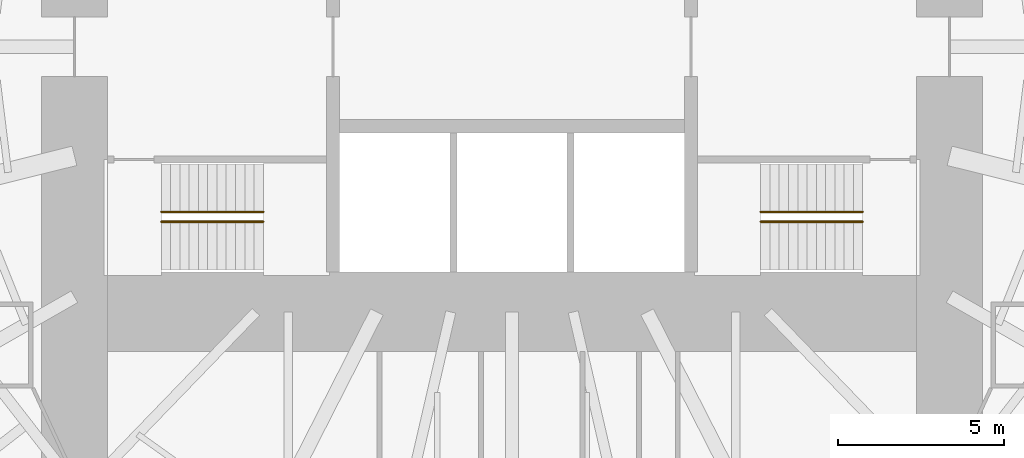
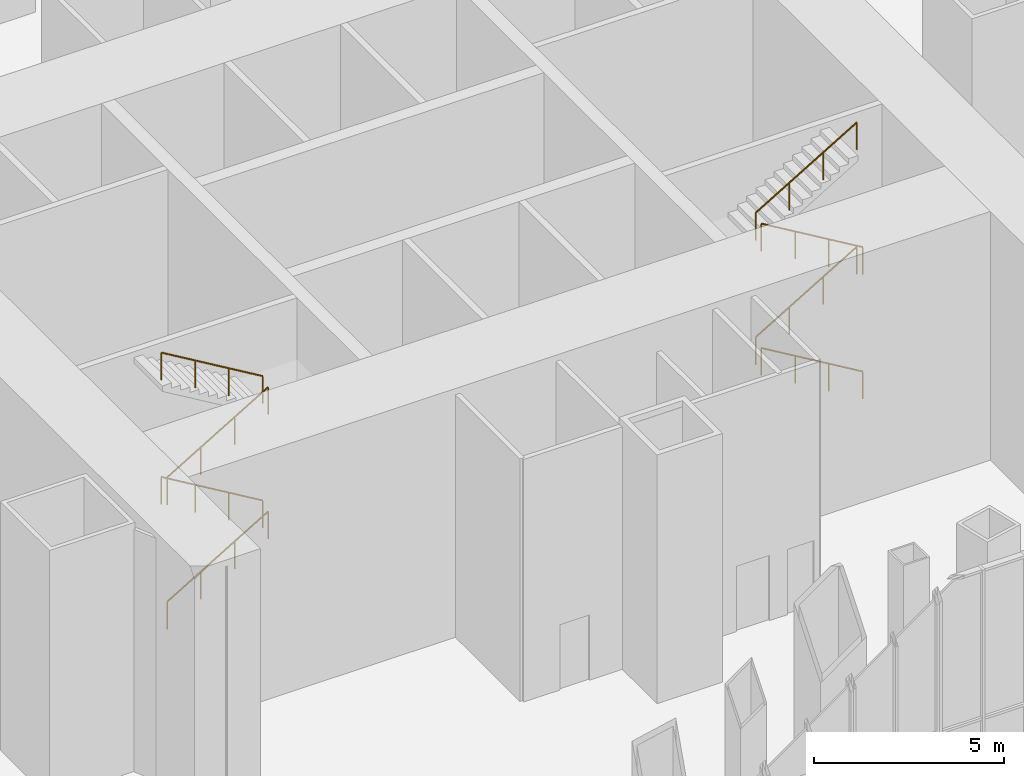
# One storey, part 74 of 74: 8 railings.
"""IFC4 building model written with IfcOpenShell, lengths in metres."""

from ifc_helpers import new_model, si_unit, direction, frame, origin, origin_2d, place, context, subcontext, project, spatial, circle, extrude, material, type_object, element, save


model = new_model("IFC4")

# Units and contexts
model_context = context("Model", 3, precision=1e-05, world=origin(), true_north=direction((0.0, 1.0)))
body_context = subcontext(model_context, "Body", "Model", "MODEL_VIEW")
ifc_project = project(units=[si_unit("LENGTHUNIT", "METRE"), si_unit("AREAUNIT", "SQUARE_METRE"), si_unit("VOLUMEUNIT", "CUBIC_METRE"), si_unit("PLANEANGLEUNIT", "RADIAN"), si_unit("MASSUNIT", "GRAM", prefix="KILO")], contexts=[model_context])

# Site, building, storey
site_placement = place(None, origin())
site = spatial("IfcSite", under=ifc_project, at=site_placement, CompositionType="ELEMENT")
building_placement = place(site_placement, origin())
building = spatial("IfcBuilding", under=site, at=building_placement, Name="Lantaw Convention Tower", CompositionType="ELEMENT")
storey_placement = place(building_placement, frame((0.0, 0.0, 6.5)))
storey = spatial("IfcBuildingStorey", under=building, at=storey_placement, Name="L01", CompositionType="ELEMENT", Elevation=6.5)

# Railings
ifc_material = material(Name="Stainless steel", Category="steel")
railing_type = type_object("IfcRailingType", Name="Stair handrail", PredefinedType="HANDRAIL", material=ifc_material)
railing_1_placement = place(storey_placement, frame((-10.580078125, -5.280029296875, 0.166748046875)))
element("IfcRailing", 1, at=railing_1_placement, inside=storey, type_object=railing_type, Name="Stair handrail S1", PredefinedType="HANDRAIL", context=body_context, shape_type="SweptSolid", body=[
    extrude(circle(Radius=0.02392578125, at=origin_2d()), frame((0.0, 0.0, 0.8759765625), z_axis=(0.859308565015, 0.0, 0.511457515432), x_axis=(0.0, 1.0, 0.0)), (0.0, 0.0, 1.0), 3.58447265625),
    extrude(circle(Radius=0.02099609375, at=origin_2d()), origin(), (0.0, 0.0, 1.0), 0.851806640625),
    extrude(circle(Radius=0.02099609375, at=origin_2d()), frame((1.026611328125, 0.0, 0.611083984375)), (0.0, 0.0, 1.0), 0.851806640625),
    extrude(circle(Radius=0.02099609375, at=origin_2d()), frame((2.053466796875, 0.0, 1.22216796875)), (0.0, 0.0, 1.0), 0.851806640625),
    extrude(circle(Radius=0.02099609375, at=origin_2d()), frame((3.080078125, 0.0, 1.833251953125)), (0.0, 0.0, 1.0), 0.851806640625),
])
railing_2_placement = place(storey_placement, frame((-7.5, -4.97998046875, 2.166748046875)))
element("IfcRailing", 2, at=railing_2_placement, inside=storey, type_object=railing_type, Name="Stair handrail S1", PredefinedType="HANDRAIL", context=body_context, shape_type="SweptSolid", body=[
    extrude(circle(Radius=0.02392578125, at=origin_2d()), frame((0.0, 0.0, 0.8759765625), z_axis=(-0.859308565015, 0.0, 0.511457515432), x_axis=(0.0, -1.0, 0.0)), (0.0, 0.0, 1.0), 3.58447265625),
    extrude(circle(Radius=0.02099609375, at=origin_2d()), origin(), (0.0, 0.0, 1.0), 0.851806640625),
    extrude(circle(Radius=0.02099609375, at=origin_2d()), frame((-1.026611328125, 0.0, 0.611083984375)), (0.0, 0.0, 1.0), 0.851806640625),
    extrude(circle(Radius=0.02099609375, at=origin_2d()), frame((-2.053466796875, 0.0, 1.22216796875)), (0.0, 0.0, 1.0), 0.851806640625),
    extrude(circle(Radius=0.02099609375, at=origin_2d()), frame((-3.080078125, 0.0, 1.833251953125)), (0.0, 0.0, 1.0), 0.851806640625),
])
railing_3_placement = place(storey_placement, frame((-10.580078125, -5.280029296875, 4.166748046875)))
element("IfcRailing", 3, at=railing_3_placement, inside=storey, type_object=railing_type, Name="Stair handrail S1", PredefinedType="HANDRAIL", context=body_context, shape_type="SweptSolid", body=[
    extrude(circle(Radius=0.02392578125, at=origin_2d()), frame((0.0, 0.0, 0.8759765625), z_axis=(0.859308565015, 0.0, 0.511457515432), x_axis=(0.0, 1.0, 0.0)), (0.0, 0.0, 1.0), 3.58447265625),
    extrude(circle(Radius=0.02099609375, at=origin_2d()), origin(), (0.0, 0.0, 1.0), 0.851806640625),
    extrude(circle(Radius=0.02099609375, at=origin_2d()), frame((1.026611328125, 0.0, 0.611083984375)), (0.0, 0.0, 1.0), 0.851806640625),
    extrude(circle(Radius=0.02099609375, at=origin_2d()), frame((2.053466796875, 0.0, 1.22216796875)), (0.0, 0.0, 1.0), 0.851806640625),
    extrude(circle(Radius=0.02099609375, at=origin_2d()), frame((3.080078125, 0.0, 1.833251953125)), (0.0, 0.0, 1.0), 0.851806640625),
])
for number, where, name in (
    (4, (-7.5, -4.97998046875, 6.166748046875), "Stair handrail S1"),
    (5, (10.580078125, -5.280029296875, 0.166748046875), "Stair handrail S2"),
):
    element("IfcRailing", number, at=place(storey_placement, frame(where)), inside=storey, type_object=railing_type, Name=name, PredefinedType="HANDRAIL", context=body_context, shape_type="SweptSolid", body=[
        extrude(circle(Radius=0.02392578125, at=origin_2d()), frame((0.0, 0.0, 0.8759765625), z_axis=(-0.859308565015, 0.0, 0.511457515432), x_axis=(0.0, -1.0, 0.0)), (0.0, 0.0, 1.0), 3.58447265625),
        extrude(circle(Radius=0.02099609375, at=origin_2d()), origin(), (0.0, 0.0, 1.0), 0.851806640625),
        extrude(circle(Radius=0.02099609375, at=origin_2d()), frame((-1.026611328125, 0.0, 0.611083984375)), (0.0, 0.0, 1.0), 0.851806640625),
        extrude(circle(Radius=0.02099609375, at=origin_2d()), frame((-2.053466796875, 0.0, 1.22216796875)), (0.0, 0.0, 1.0), 0.851806640625),
        extrude(circle(Radius=0.02099609375, at=origin_2d()), frame((-3.080078125, 0.0, 1.833251953125)), (0.0, 0.0, 1.0), 0.851806640625),
    ])
railing_4_placement = place(storey_placement, frame((7.5, -4.97998046875, 2.166748046875)))
element("IfcRailing", 6, at=railing_4_placement, inside=storey, type_object=railing_type, Name="Stair handrail S2", PredefinedType="HANDRAIL", context=body_context, shape_type="SweptSolid", body=[
    extrude(circle(Radius=0.02392578125, at=origin_2d()), frame((0.0, 0.0, 0.8759765625), z_axis=(0.859308565015, 0.0, 0.511457515432), x_axis=(0.0, 1.0, 0.0)), (0.0, 0.0, 1.0), 3.58447265625),
    extrude(circle(Radius=0.02099609375, at=origin_2d()), origin(), (0.0, 0.0, 1.0), 0.851806640625),
    extrude(circle(Radius=0.02099609375, at=origin_2d()), frame((1.026611328125, 0.0, 0.611083984375)), (0.0, 0.0, 1.0), 0.851806640625),
    extrude(circle(Radius=0.02099609375, at=origin_2d()), frame((2.053466796875, 0.0, 1.22216796875)), (0.0, 0.0, 1.0), 0.851806640625),
    extrude(circle(Radius=0.02099609375, at=origin_2d()), frame((3.080078125, 0.0, 1.833251953125)), (0.0, 0.0, 1.0), 0.851806640625),
])
railing_5_placement = place(storey_placement, frame((10.580078125, -5.280029296875, 4.166748046875)))
element("IfcRailing", 7, at=railing_5_placement, inside=storey, type_object=railing_type, Name="Stair handrail S2", PredefinedType="HANDRAIL", context=body_context, shape_type="SweptSolid", body=[
    extrude(circle(Radius=0.02392578125, at=origin_2d()), frame((0.0, 0.0, 0.8759765625), z_axis=(-0.859308565015, 0.0, 0.511457515432), x_axis=(0.0, -1.0, 0.0)), (0.0, 0.0, 1.0), 3.58447265625),
    extrude(circle(Radius=0.02099609375, at=origin_2d()), origin(), (0.0, 0.0, 1.0), 0.851806640625),
    extrude(circle(Radius=0.02099609375, at=origin_2d()), frame((-1.026611328125, 0.0, 0.611083984375)), (0.0, 0.0, 1.0), 0.851806640625),
    extrude(circle(Radius=0.02099609375, at=origin_2d()), frame((-2.053466796875, 0.0, 1.22216796875)), (0.0, 0.0, 1.0), 0.851806640625),
    extrude(circle(Radius=0.02099609375, at=origin_2d()), frame((-3.080078125, 0.0, 1.833251953125)), (0.0, 0.0, 1.0), 0.851806640625),
])
railing_6_placement = place(storey_placement, frame((7.5, -4.97998046875, 6.166748046875)))
element("IfcRailing", 8, at=railing_6_placement, inside=storey, type_object=railing_type, Name="Stair handrail S2", PredefinedType="HANDRAIL", context=body_context, shape_type="SweptSolid", body=[
    extrude(circle(Radius=0.02392578125, at=origin_2d()), frame((0.0, 0.0, 0.8759765625), z_axis=(0.859308565015, 0.0, 0.511457515432), x_axis=(0.0, 1.0, 0.0)), (0.0, 0.0, 1.0), 3.58447265625),
    extrude(circle(Radius=0.02099609375, at=origin_2d()), origin(), (0.0, 0.0, 1.0), 0.851806640625),
    extrude(circle(Radius=0.02099609375, at=origin_2d()), frame((1.026611328125, 0.0, 0.611083984375)), (0.0, 0.0, 1.0), 0.851806640625),
    extrude(circle(Radius=0.02099609375, at=origin_2d()), frame((2.053466796875, 0.0, 1.22216796875)), (0.0, 0.0, 1.0), 0.851806640625),
    extrude(circle(Radius=0.02099609375, at=origin_2d()), frame((3.080078125, 0.0, 1.833251953125)), (0.0, 0.0, 1.0), 0.851806640625),
])

save(model, "model.ifc")
